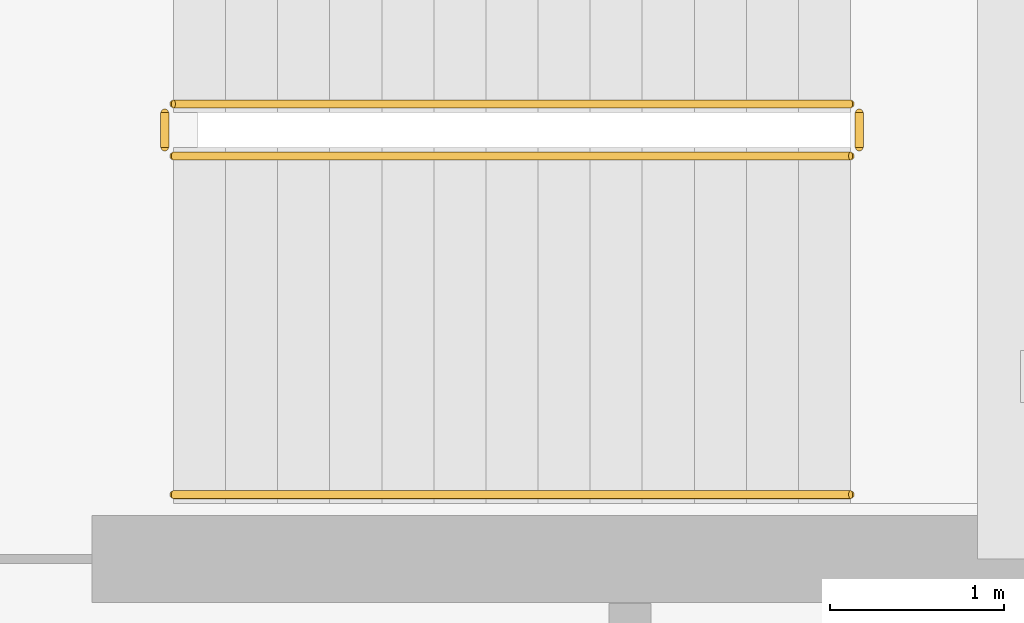
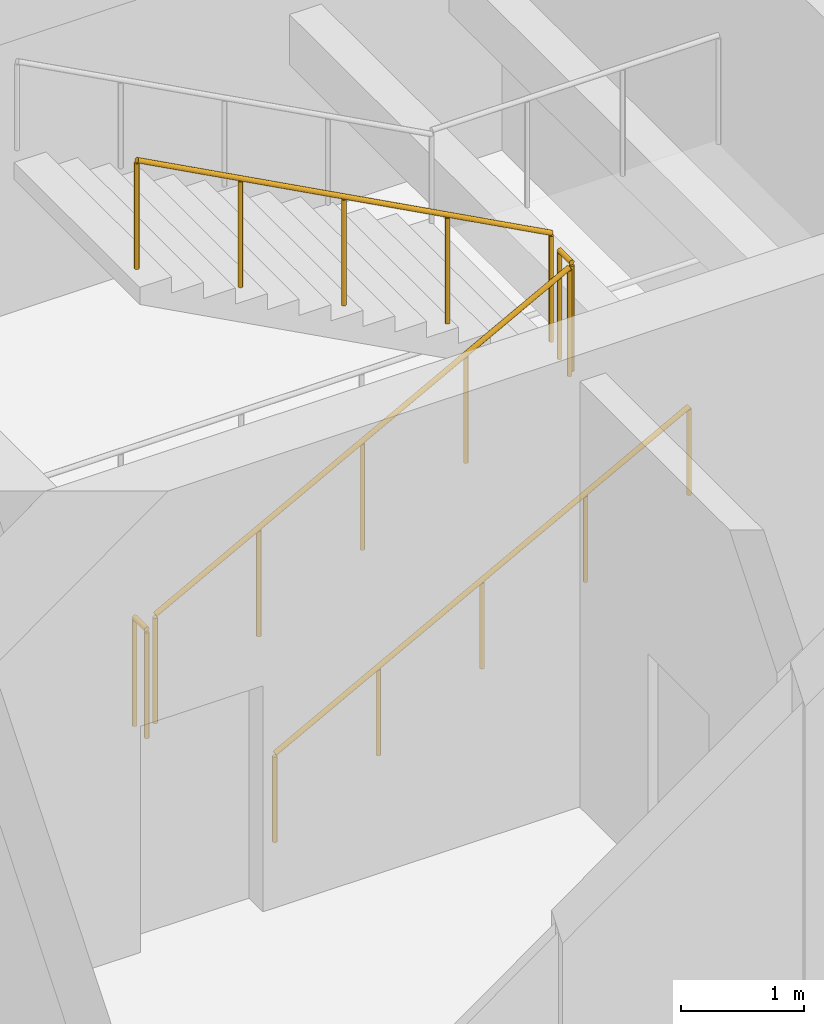
# One storey, part 61 of 67: 5 railings.
"""IFC4 building model written with IfcOpenShell, lengths in metres."""

from ifc_helpers import new_model, si_unit, direction, frame, origin, origin_2d, place, context, subcontext, project, spatial, circle, extrude, material, type_object, element, save


model = new_model("IFC4")

# Units and contexts
model_context = context("Model", 3, precision=1e-05, world=origin(), true_north=direction((0.0, 1.0)))
body_context = subcontext(model_context, "Body", "Model", "MODEL_VIEW")
ifc_project = project(units=[si_unit("LENGTHUNIT", "METRE"), si_unit("AREAUNIT", "SQUARE_METRE"), si_unit("VOLUMEUNIT", "CUBIC_METRE"), si_unit("PLANEANGLEUNIT", "RADIAN"), si_unit("MASSUNIT", "GRAM", prefix="KILO")], contexts=[model_context])

# Site, building, storey
site_placement = place(None, origin())
site = spatial("IfcSite", under=ifc_project, at=site_placement, CompositionType="ELEMENT")
building_placement = place(site_placement, origin())
building = spatial("IfcBuilding", under=site, at=building_placement, Name="Tarnveldt Square Police Headquarters", CompositionType="ELEMENT")
storey_placement = place(building_placement, frame((0.0, 0.0, 10.199951171875)))
storey = spatial("IfcBuildingStorey", under=building, at=storey_placement, Name="L02", CompositionType="ELEMENT", Elevation=10.199951171875)

# Railings
ifc_material = material(Name="Steel 350W", Category="steel")
railing_type_1 = type_object("IfcRailingType", Name="RL-GR-1100", PredefinedType="GUARDRAIL", material=ifc_material)
railing_1_placement = place(storey_placement, frame((19.3701171875, 62.719970703125, 0.16064453125)))
element("IfcRailing", 1, at=railing_1_placement, inside=storey, type_object=railing_type_1, Name="L02 ST1 stair guard 1", PredefinedType="GUARDRAIL", context=body_context, shape_type="SweptSolid", body=[
    extrude(circle(Radius=0.02392578125, at=origin_2d()), frame((0.0, 0.0, 1.076171875), z_axis=(0.881468485026, 0.0, 0.472242850561), x_axis=(0.0, 1.0, 0.0)), (0.0, 0.0, 1.0), 4.42431640625),
    extrude(circle(Radius=0.02099609375, at=origin_2d()), origin(), (0.0, 0.0, 1.0), 1.052001953125),
    extrude(circle(Radius=0.02099609375, at=origin_2d()), frame((0.97509765625, 0.0, 0.5224609375)), (0.0, 0.0, 1.0), 1.052001953125),
    extrude(circle(Radius=0.02099609375, at=origin_2d()), frame((1.949951171875, 0.0, 1.044677734375)), (0.0, 0.0, 1.0), 1.052001953125),
    extrude(circle(Radius=0.02099609375, at=origin_2d()), frame((2.9248046875, 0.0, 1.56689453125)), (0.0, 0.0, 1.0), 1.052001953125),
    extrude(circle(Radius=0.02099609375, at=origin_2d()), frame((3.89990234375, 0.0, 2.08935546875)), (0.0, 0.0, 1.0), 1.052001953125),
])
railing_2_placement = place(storey_placement, frame((23.320068359375, 62.77001953125, 2.25)))
element("IfcRailing", 2, at=railing_2_placement, inside=storey, type_object=railing_type_1, Name="L02 ST1 stair guard 2", PredefinedType="GUARDRAIL", context=body_context, shape_type="SweptSolid", body=[
    extrude(circle(Radius=0.02392578125, at=origin_2d()), frame((0.0, 0.0, 1.076171875), z_axis=(0.0, 1.0, 0.0), x_axis=(-1.0, 0.0, 0.0)), (0.0, 0.0, 1.0), 0.199951171875),
    extrude(circle(Radius=0.02099609375, at=origin_2d()), origin(), (0.0, 0.0, 1.0), 1.052001953125),
    extrude(circle(Radius=0.02099609375, at=origin_2d()), frame((0.0, 0.199951171875, 0.0)), (0.0, 0.0, 1.0), 1.052001953125),
])
railing_3_placement = place(storey_placement, frame((23.27001953125, 63.02001953125, 2.41064453125)))
element("IfcRailing", 3, at=railing_3_placement, inside=storey, type_object=railing_type_1, Name="L02 ST1 stair guard 4", PredefinedType="GUARDRAIL", context=body_context, shape_type="SweptSolid", body=[
    extrude(circle(Radius=0.02392578125, at=origin_2d()), frame((0.0, 0.0, 1.076171875), z_axis=(-0.881468485026, 0.0, 0.472242850561), x_axis=(0.0, -1.0, 0.0)), (0.0, 0.0, 1.0), 4.42431640625),
    extrude(circle(Radius=0.02099609375, at=origin_2d()), origin(), (0.0, 0.0, 1.0), 1.052001953125),
    extrude(circle(Radius=0.02099609375, at=origin_2d()), frame((-0.97509765625, 0.0, 0.5224609375)), (0.0, 0.0, 1.0), 1.052001953125),
    extrude(circle(Radius=0.02099609375, at=origin_2d()), frame((-1.949951171875, 0.0, 1.044677734375)), (0.0, 0.0, 1.0), 1.052001953125),
    extrude(circle(Radius=0.02099609375, at=origin_2d()), frame((-2.9248046875, 0.0, 1.56689453125)), (0.0, 0.0, 1.0), 1.052001953125),
    extrude(circle(Radius=0.02099609375, at=origin_2d()), frame((-3.89990234375, 0.0, 2.08935546875)), (0.0, 0.0, 1.0), 1.052001953125),
])
railing_4_placement = place(storey_placement, frame((19.320068359375, 62.77001953125, 0.0)))
element("IfcRailing", 4, at=railing_4_placement, inside=storey, type_object=railing_type_1, Name="L02 ST1 stair guard 5", PredefinedType="GUARDRAIL", context=body_context, shape_type="SweptSolid", body=[
    extrude(circle(Radius=0.02392578125, at=origin_2d()), frame((0.0, 0.0, 1.076171875), z_axis=(0.0, 1.0, 0.0), x_axis=(-1.0, 0.0, 0.0)), (0.0, 0.0, 1.0), 0.199951171875),
    extrude(circle(Radius=0.02099609375, at=origin_2d()), origin(), (0.0, 0.0, 1.0), 1.052001953125),
    extrude(circle(Radius=0.02099609375, at=origin_2d()), frame((0.0, 0.199951171875, 0.0)), (0.0, 0.0, 1.0), 1.052001953125),
])
railing_type_2 = type_object("IfcRailingType", Name="RL-HR-900", PredefinedType="HANDRAIL", material=ifc_material)
railing_5_placement = place(storey_placement, frame((19.3701171875, 60.77001953125, 0.16064453125)))
element("IfcRailing", 5, at=railing_5_placement, inside=storey, type_object=railing_type_2, Name="L02 ST1 stair handrail 1", PredefinedType="HANDRAIL", context=body_context, shape_type="SweptSolid", body=[
    extrude(circle(Radius=0.02392578125, at=origin_2d()), frame((0.0, 0.0, 0.8759765625), z_axis=(0.881468485026, 0.0, 0.472242850561), x_axis=(0.0, 1.0, 0.0)), (0.0, 0.0, 1.0), 4.42431640625),
    extrude(circle(Radius=0.02099609375, at=origin_2d()), origin(), (0.0, 0.0, 1.0), 0.851806640625),
    extrude(circle(Radius=0.02099609375, at=origin_2d()), frame((0.97509765625, 0.0, 0.5224609375)), (0.0, 0.0, 1.0), 0.851806640625),
    extrude(circle(Radius=0.02099609375, at=origin_2d()), frame((1.949951171875, 0.0, 1.044677734375)), (0.0, 0.0, 1.0), 0.851806640625),
    extrude(circle(Radius=0.02099609375, at=origin_2d()), frame((2.9248046875, 0.0, 1.56689453125)), (0.0, 0.0, 1.0), 0.851806640625),
    extrude(circle(Radius=0.02099609375, at=origin_2d()), frame((3.89990234375, 0.0, 2.08935546875)), (0.0, 0.0, 1.0), 0.851806640625),
])

save(model, "model.ifc")
